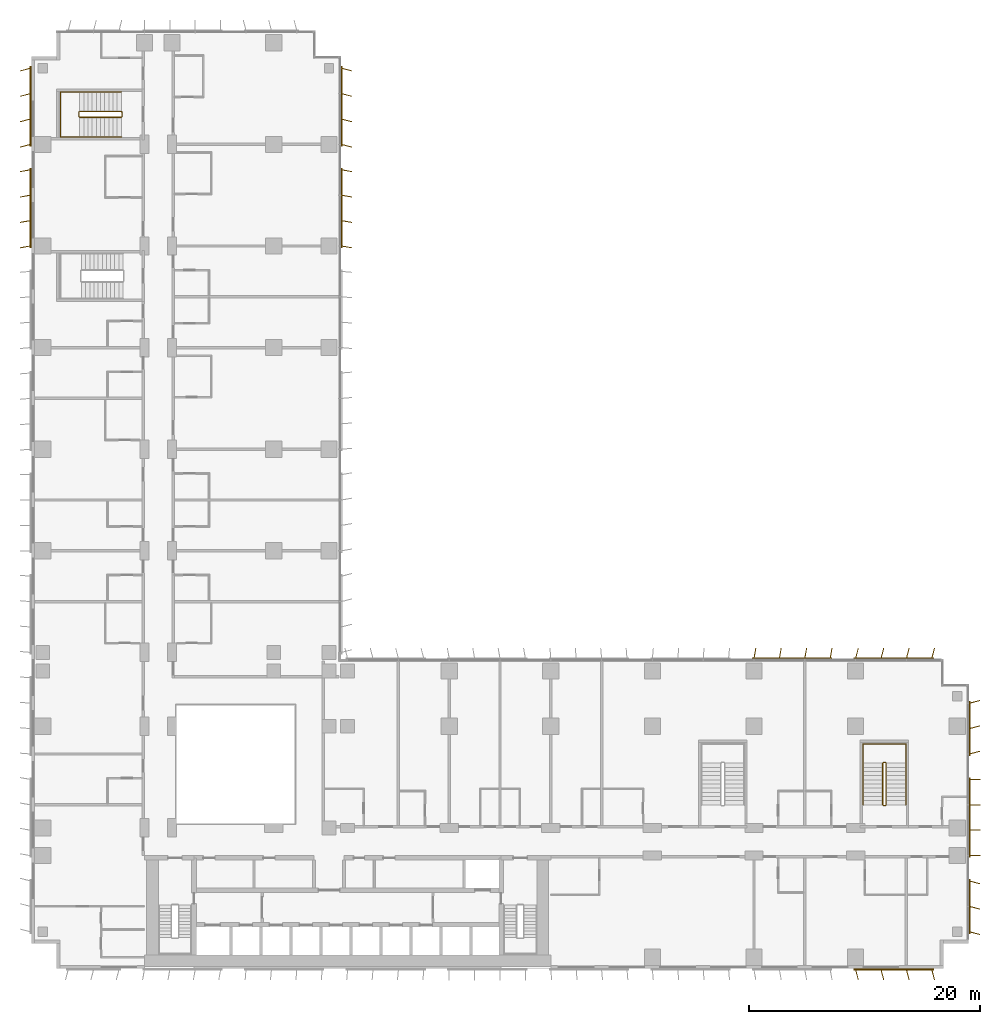
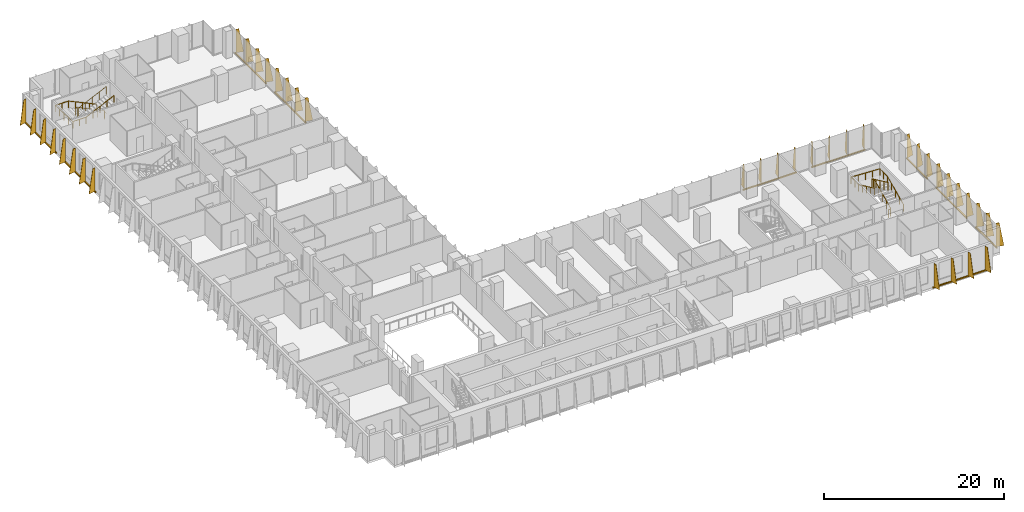
# One storey, part 23 of 24: 10 shading devices, 4 railings.
"""IFC4 building model written with IfcOpenShell, lengths in metres."""

from ifc_helpers import new_model, si_unit, direction, frame, origin, origin_2d, place, context, subcontext, project, spatial, polyline, rectangle, circle, outline, extrude, source, transform, mapped, material, layer, layer_set, type_object, element, save


model = new_model("IFC4")

# Units and contexts
model_context = context("Model", 3, precision=1e-05, world=origin(), true_north=direction((0.0, 1.0)))
body_context = subcontext(model_context, "Body", "Model", "MODEL_VIEW")
ifc_project = project(units=[si_unit("LENGTHUNIT", "METRE"), si_unit("AREAUNIT", "SQUARE_METRE"), si_unit("VOLUMEUNIT", "CUBIC_METRE"), si_unit("PLANEANGLEUNIT", "RADIAN"), si_unit("MASSUNIT", "GRAM", prefix="KILO")], contexts=[model_context])

# Site, building, storey
site_placement = place(None, origin())
site = spatial("IfcSite", under=ifc_project, at=site_placement, CompositionType="ELEMENT")
building_placement = place(site_placement, origin())
building = spatial("IfcBuilding", under=site, at=building_placement, Name="Kemantara Hotel Tower", CompositionType="ELEMENT")
storey_placement = place(building_placement, frame((0.0, 0.0, 63.60009765625)))
storey = spatial("IfcBuildingStorey", under=building, at=storey_placement, Name="L14", CompositionType="ELEMENT", Elevation=63.60009765625)

# Railings
ifc_material_1 = material(Name="Stainless steel balustrade", Category="steel")
railing_type_1 = type_object("IfcRailingType", Name="Stair guard 1100 mm", PredefinedType="GUARDRAIL", material=ifc_material_1)
railing_1_placement = place(storey_placement, frame((73.75, 14.199951171875, 3.699951171875)))
element("IfcRailing", 1, at=railing_1_placement, inside=storey, type_object=railing_type_1, Name="L14 ST5 stair guard 1", PredefinedType="GUARDRAIL", context=body_context, shape_type="SweptSolid", body=[
    extrude(circle(Radius=0.02392578125, at=origin_2d()), frame((0.0, 0.0, 1.076171875), z_axis=(0.0, 0.906005689286, -0.423265508849), x_axis=(-1.0, 0.0, 0.0)), (0.0, 0.0, 1.0), 3.9736328125),
    extrude(circle(Radius=0.02392578125, at=origin_2d()), frame((0.0, 3.60009765625, -0.60595703125), z_axis=(0.274243871929, 0.274243871929, -0.92172696468), x_axis=(-0.707106781187, 0.707106781187, 0.0)), (0.0, 0.0, 1.0), 0.1826171875),
    extrude(circle(Radius=0.02392578125, at=origin_2d()), frame((0.050048828125, 3.650146484375, -0.77392578125), z_axis=(1.0, 0.0, 0.0), x_axis=(0.0, 1.0, 0.0)), (0.0, 0.0, 1.0), 0.199951171875),
    extrude(circle(Radius=0.02392578125, at=origin_2d()), frame((0.25, 3.650146484375, -0.77392578125), z_axis=(0.707106781187, -0.707106781187, 0.0), x_axis=(0.707106781187, 0.707106781187, 0.0)), (0.0, 0.0, 1.0), 0.07080078125),
    extrude(circle(Radius=0.02392578125, at=origin_2d()), frame((0.300048828125, 3.60009765625, -0.77392578125), z_axis=(0.0, -0.906005689286, -0.423265508849), x_axis=(1.0, 0.0, 0.0)), (0.0, 0.0, 1.0), 3.9736328125),
    extrude(circle(Radius=0.02392578125, at=origin_2d()), frame((0.300048828125, 0.0, -2.4560546875), z_axis=(-0.274582412415, -0.274582412415, -0.921525364591), x_axis=(0.707106781187, -0.707106781187, 0.0)), (0.0, 0.0, 1.0), 0.182373046875),
    extrude(circle(Radius=0.02392578125, at=origin_2d()), frame((0.25, -0.050048828125, -2.6240234375), z_axis=(-1.0, 0.0, 0.0), x_axis=(0.0, -1.0, 0.0)), (0.0, 0.0, 1.0), 0.199951171875),
    extrude(circle(Radius=0.02099609375, at=origin_2d()), origin(), (0.0, 0.0, 1.0), 1.052001953125),
    extrude(circle(Radius=0.02099609375, at=origin_2d()), frame((0.0, 0.89990234375, -0.42041015625)), (0.0, 0.0, 1.0), 1.052001953125),
    extrude(circle(Radius=0.02099609375, at=origin_2d()), frame((0.0, 1.800048828125, -0.8408203125)), (0.0, 0.0, 1.0), 1.052001953125),
    extrude(circle(Radius=0.02099609375, at=origin_2d()), frame((0.0, 2.7001953125, -1.261474609375)), (0.0, 0.0, 1.0), 1.052001953125),
    extrude(circle(Radius=0.02099609375, at=origin_2d()), frame((0.0, 3.60009765625, -1.681884765625)), (0.0, 0.0, 1.0), 1.052001953125),
    extrude(circle(Radius=0.02099609375, at=origin_2d()), frame((0.050048828125, 3.650146484375, -1.85009765625)), (0.0, 0.0, 1.0), 1.052001953125),
    extrude(circle(Radius=0.02099609375, at=origin_2d()), frame((0.25, 3.650146484375, -1.85009765625)), (0.0, 0.0, 1.0), 1.052001953125),
    extrude(circle(Radius=0.02099609375, at=origin_2d()), frame((0.300048828125, 3.60009765625, -1.85009765625)), (0.0, 0.0, 1.0), 1.052001953125),
    extrude(circle(Radius=0.02099609375, at=origin_2d()), frame((0.300048828125, 2.7001953125, -2.2705078125)), (0.0, 0.0, 1.0), 1.052001953125),
    extrude(circle(Radius=0.02099609375, at=origin_2d()), frame((0.300048828125, 1.800048828125, -2.69091796875)), (0.0, 0.0, 1.0), 1.052001953125),
    extrude(circle(Radius=0.02099609375, at=origin_2d()), frame((0.300048828125, 0.89990234375, -3.111572265625)), (0.0, 0.0, 1.0), 1.052001953125),
    extrude(circle(Radius=0.02099609375, at=origin_2d()), frame((0.300048828125, 0.0, -3.531982421875)), (0.0, 0.0, 1.0), 1.052001953125),
    extrude(circle(Radius=0.02099609375, at=origin_2d()), frame((0.25, -0.050048828125, -3.699951171875)), (0.0, 0.0, 1.0), 1.052001953125),
    extrude(circle(Radius=0.02099609375, at=origin_2d()), frame((0.050048828125, -0.050048828125, -3.699951171875)), (0.0, 0.0, 1.0), 1.052001953125),
])
railing_2_placement = place(storey_placement, frame((7.800048828125, 73.75, 3.699951171875)))
element("IfcRailing", 2, at=railing_2_placement, inside=storey, type_object=railing_type_1, Name="L14 ST6 stair guard 1", PredefinedType="GUARDRAIL", context=body_context, shape_type="SweptSolid", body=[
    extrude(circle(Radius=0.02392578125, at=origin_2d()), frame((0.0, 0.0, 1.076171875), z_axis=(-0.906005689286, 0.0, -0.423265508849), x_axis=(0.0, -1.0, 0.0)), (0.0, 0.0, 1.0), 3.9736328125),
    extrude(circle(Radius=0.02392578125, at=origin_2d()), frame((-3.60009765625, 0.0, -0.60595703125), z_axis=(-0.274243871929, 0.274243871929, -0.92172696468), x_axis=(-0.707106781187, -0.707106781187, 0.0)), (0.0, 0.0, 1.0), 0.1826171875),
    extrude(circle(Radius=0.02392578125, at=origin_2d()), frame((-3.650146484375, 0.050048828125, -0.77392578125), z_axis=(0.0, 1.0, 0.0), x_axis=(-1.0, 0.0, 0.0)), (0.0, 0.0, 1.0), 0.39990234375),
    extrude(circle(Radius=0.02392578125, at=origin_2d()), frame((-3.650146484375, 0.449951171875, -0.77392578125), z_axis=(0.707106781187, 0.707106781187, 0.0), x_axis=(-0.707106781187, 0.707106781187, 0.0)), (0.0, 0.0, 1.0), 0.07080078125),
    extrude(circle(Radius=0.02392578125, at=origin_2d()), frame((-3.60009765625, 0.5, -0.77392578125), z_axis=(0.906005689286, 0.0, -0.423265508849), x_axis=(0.0, 1.0, 0.0)), (0.0, 0.0, 1.0), 3.9736328125),
    extrude(circle(Radius=0.02392578125, at=origin_2d()), frame((0.0, 0.5, -2.4560546875), z_axis=(0.274582412415, -0.274582412415, -0.921525364591), x_axis=(0.707106781187, 0.707106781187, 0.0)), (0.0, 0.0, 1.0), 0.182373046875),
    extrude(circle(Radius=0.02392578125, at=origin_2d()), frame((0.050048828125, 0.449951171875, -2.6240234375), z_axis=(0.0, -1.0, 0.0), x_axis=(1.0, 0.0, 0.0)), (0.0, 0.0, 1.0), 0.39990234375),
    extrude(circle(Radius=0.02099609375, at=origin_2d()), origin(), (0.0, 0.0, 1.0), 1.052001953125),
    extrude(circle(Radius=0.02099609375, at=origin_2d()), frame((-0.89990234375, 0.0, -0.42041015625)), (0.0, 0.0, 1.0), 1.052001953125),
    extrude(circle(Radius=0.02099609375, at=origin_2d()), frame((-1.800048828125, 0.0, -0.8408203125)), (0.0, 0.0, 1.0), 1.052001953125),
    extrude(circle(Radius=0.02099609375, at=origin_2d()), frame((-2.7001953125, 0.0, -1.261474609375)), (0.0, 0.0, 1.0), 1.052001953125),
    extrude(circle(Radius=0.02099609375, at=origin_2d()), frame((-3.60009765625, 0.0, -1.681884765625)), (0.0, 0.0, 1.0), 1.052001953125),
    extrude(circle(Radius=0.02099609375, at=origin_2d()), frame((-3.650146484375, 0.050048828125, -1.85009765625)), (0.0, 0.0, 1.0), 1.052001953125),
    extrude(circle(Radius=0.02099609375, at=origin_2d()), frame((-3.650146484375, 0.449951171875, -1.85009765625)), (0.0, 0.0, 1.0), 1.052001953125),
    extrude(circle(Radius=0.02099609375, at=origin_2d()), frame((-3.60009765625, 0.5, -1.85009765625)), (0.0, 0.0, 1.0), 1.052001953125),
    extrude(circle(Radius=0.02099609375, at=origin_2d()), frame((-2.7001953125, 0.5, -2.2705078125)), (0.0, 0.0, 1.0), 1.052001953125),
    extrude(circle(Radius=0.02099609375, at=origin_2d()), frame((-1.800048828125, 0.5, -2.69091796875)), (0.0, 0.0, 1.0), 1.052001953125),
    extrude(circle(Radius=0.02099609375, at=origin_2d()), frame((-0.89990234375, 0.5, -3.111572265625)), (0.0, 0.0, 1.0), 1.052001953125),
    extrude(circle(Radius=0.02099609375, at=origin_2d()), frame((0.0, 0.5, -3.531982421875)), (0.0, 0.0, 1.0), 1.052001953125),
    extrude(circle(Radius=0.02099609375, at=origin_2d()), frame((0.050048828125, 0.449951171875, -3.699951171875)), (0.0, 0.0, 1.0), 1.052001953125),
    extrude(circle(Radius=0.02099609375, at=origin_2d()), frame((0.050048828125, 0.050048828125, -3.699951171875)), (0.0, 0.0, 1.0), 1.052001953125),
])
railing_type_2 = type_object("IfcRailingType", Name="Stair handrail 900 mm", PredefinedType="HANDRAIL", material=ifc_material_1)
railing_3_placement = place(storey_placement, frame((75.75, 14.199951171875, 0.16796875)))
element("IfcRailing", 3, at=railing_3_placement, inside=storey, type_object=railing_type_2, Name="L14 ST5 stair handrail 1", PredefinedType="HANDRAIL", context=body_context, shape_type="SweptSolid", body=[
    extrude(circle(Radius=0.02392578125, at=origin_2d()), frame((0.0, 0.0, 0.8759765625), z_axis=(0.0, 0.906005689286, 0.423265508849), x_axis=(-1.0, 0.0, 0.0)), (0.0, 0.0, 1.0), 3.9736328125),
    extrude(circle(Radius=0.02392578125, at=origin_2d()), frame((0.0, 3.60009765625, 2.5576171875), z_axis=(0.0, 1.0, 0.0), x_axis=(-1.0, 0.0, 0.0)), (0.0, 0.0, 1.0), 1.679931640625),
    extrude(circle(Radius=0.02392578125, at=origin_2d()), frame((0.0, 5.280029296875, 2.5576171875), z_axis=(-0.998968132438, 0.0, 0.045416631029), x_axis=(0.0, -1.0, 0.0)), (0.0, 0.0, 1.0), 3.703857421875),
    extrude(circle(Radius=0.02392578125, at=origin_2d()), frame((-3.699951171875, 5.280029296875, 2.72607421875), z_axis=(0.0, -1.0, 0.0), x_axis=(1.0, 0.0, 0.0)), (0.0, 0.0, 1.0), 1.679931640625),
    extrude(circle(Radius=0.02392578125, at=origin_2d()), frame((-3.699951171875, 3.60009765625, 2.72607421875), z_axis=(0.0, -0.906005689286, 0.423265508849), x_axis=(1.0, 0.0, 0.0)), (0.0, 0.0, 1.0), 3.9736328125),
    extrude(circle(Radius=0.02099609375, at=origin_2d()), origin(), (0.0, 0.0, 1.0), 0.851806640625),
    extrude(circle(Radius=0.02099609375, at=origin_2d()), frame((0.0, 0.89990234375, 0.42041015625)), (0.0, 0.0, 1.0), 0.851806640625),
    extrude(circle(Radius=0.02099609375, at=origin_2d()), frame((0.0, 1.800048828125, 0.8408203125)), (0.0, 0.0, 1.0), 0.851806640625),
    extrude(circle(Radius=0.02099609375, at=origin_2d()), frame((0.0, 2.7001953125, 1.261474609375)), (0.0, 0.0, 1.0), 0.851806640625),
    extrude(circle(Radius=0.02099609375, at=origin_2d()), frame((0.0, 3.60009765625, 1.681884765625)), (0.0, 0.0, 1.0), 0.851806640625),
    extrude(circle(Radius=0.02099609375, at=origin_2d()), frame((0.0, 4.43994140625, 1.681884765625)), (0.0, 0.0, 1.0), 0.851806640625),
    extrude(circle(Radius=0.02099609375, at=origin_2d()), frame((0.0, 5.280029296875, 1.681884765625)), (0.0, 0.0, 1.0), 0.851806640625),
    extrude(circle(Radius=0.02099609375, at=origin_2d()), frame((-0.925048828125, 5.280029296875, 1.723876953125)), (0.0, 0.0, 1.0), 0.851806640625),
    extrude(circle(Radius=0.02099609375, at=origin_2d()), frame((-1.85009765625, 5.280029296875, 1.76611328125)), (0.0, 0.0, 1.0), 0.851806640625),
    extrude(circle(Radius=0.02099609375, at=origin_2d()), frame((-2.77490234375, 5.280029296875, 1.80810546875)), (0.0, 0.0, 1.0), 0.851806640625),
    extrude(circle(Radius=0.02099609375, at=origin_2d()), frame((-3.699951171875, 5.280029296875, 1.85009765625)), (0.0, 0.0, 1.0), 0.851806640625),
    extrude(circle(Radius=0.02099609375, at=origin_2d()), frame((-3.699951171875, 4.43994140625, 1.85009765625)), (0.0, 0.0, 1.0), 0.851806640625),
    extrude(circle(Radius=0.02099609375, at=origin_2d()), frame((-3.699951171875, 3.60009765625, 1.85009765625)), (0.0, 0.0, 1.0), 0.851806640625),
    extrude(circle(Radius=0.02099609375, at=origin_2d()), frame((-3.699951171875, 2.7001953125, 2.2705078125)), (0.0, 0.0, 1.0), 0.851806640625),
    extrude(circle(Radius=0.02099609375, at=origin_2d()), frame((-3.699951171875, 1.800048828125, 2.69091796875)), (0.0, 0.0, 1.0), 0.851806640625),
    extrude(circle(Radius=0.02099609375, at=origin_2d()), frame((-3.699951171875, 0.89990234375, 3.111572265625)), (0.0, 0.0, 1.0), 0.851806640625),
    extrude(circle(Radius=0.02099609375, at=origin_2d()), frame((-3.699951171875, 0.0, 3.531982421875)), (0.0, 0.0, 1.0), 0.851806640625),
])
railing_4_placement = place(storey_placement, frame((7.800048828125, 75.949951171875, 0.16796875)))
element("IfcRailing", 4, at=railing_4_placement, inside=storey, type_object=railing_type_2, Name="L14 ST6 stair handrail 1", PredefinedType="HANDRAIL", context=body_context, shape_type="SweptSolid", body=[
    extrude(circle(Radius=0.02392578125, at=origin_2d()), frame((0.0, 0.0, 0.8759765625), z_axis=(-0.906005689286, 0.0, 0.423265508849), x_axis=(0.0, -1.0, 0.0)), (0.0, 0.0, 1.0), 3.9736328125),
    extrude(circle(Radius=0.02392578125, at=origin_2d()), frame((-3.60009765625, 0.0, 2.5576171875), z_axis=(-1.0, 0.0, 0.0), x_axis=(0.0, -1.0, 0.0)), (0.0, 0.0, 1.0), 1.679931640625),
    extrude(circle(Radius=0.02392578125, at=origin_2d()), frame((-5.280029296875, 0.0, 2.5576171875), z_axis=(0.0, -0.999071085748, 0.043092523981), x_axis=(1.0, 0.0, 0.0)), (0.0, 0.0, 1.0), 3.903564453125),
    extrude(circle(Radius=0.02392578125, at=origin_2d()), frame((-5.280029296875, -3.89990234375, 2.72607421875), z_axis=(1.0, 0.0, 0.0), x_axis=(0.0, 1.0, 0.0)), (0.0, 0.0, 1.0), 1.679931640625),
    extrude(circle(Radius=0.02392578125, at=origin_2d()), frame((-3.60009765625, -3.89990234375, 2.72607421875), z_axis=(0.906005689286, 0.0, 0.423265508849), x_axis=(0.0, 1.0, 0.0)), (0.0, 0.0, 1.0), 3.9736328125),
    extrude(circle(Radius=0.02099609375, at=origin_2d()), origin(), (0.0, 0.0, 1.0), 0.851806640625),
    extrude(circle(Radius=0.02099609375, at=origin_2d()), frame((-0.89990234375, 0.0, 0.42041015625)), (0.0, 0.0, 1.0), 0.851806640625),
    extrude(circle(Radius=0.02099609375, at=origin_2d()), frame((-1.800048828125, 0.0, 0.8408203125)), (0.0, 0.0, 1.0), 0.851806640625),
    extrude(circle(Radius=0.02099609375, at=origin_2d()), frame((-2.7001953125, 0.0, 1.261474609375)), (0.0, 0.0, 1.0), 0.851806640625),
    extrude(circle(Radius=0.02099609375, at=origin_2d()), frame((-3.60009765625, 0.0, 1.681884765625)), (0.0, 0.0, 1.0), 0.851806640625),
    extrude(circle(Radius=0.02099609375, at=origin_2d()), frame((-4.43994140625, 0.0, 1.681884765625)), (0.0, 0.0, 1.0), 0.851806640625),
    extrude(circle(Radius=0.02099609375, at=origin_2d()), frame((-5.280029296875, 0.0, 1.681884765625)), (0.0, 0.0, 1.0), 0.851806640625),
    extrude(circle(Radius=0.02099609375, at=origin_2d()), frame((-5.280029296875, -0.97509765625, 1.723876953125)), (0.0, 0.0, 1.0), 0.851806640625),
    extrude(circle(Radius=0.02099609375, at=origin_2d()), frame((-5.280029296875, -1.949951171875, 1.76611328125)), (0.0, 0.0, 1.0), 0.851806640625),
    extrude(circle(Radius=0.02099609375, at=origin_2d()), frame((-5.280029296875, -2.9248046875, 1.80810546875)), (0.0, 0.0, 1.0), 0.851806640625),
    extrude(circle(Radius=0.02099609375, at=origin_2d()), frame((-5.280029296875, -3.89990234375, 1.85009765625)), (0.0, 0.0, 1.0), 0.851806640625),
    extrude(circle(Radius=0.02099609375, at=origin_2d()), frame((-4.43994140625, -3.89990234375, 1.85009765625)), (0.0, 0.0, 1.0), 0.851806640625),
    extrude(circle(Radius=0.02099609375, at=origin_2d()), frame((-3.60009765625, -3.89990234375, 1.85009765625)), (0.0, 0.0, 1.0), 0.851806640625),
    extrude(circle(Radius=0.02099609375, at=origin_2d()), frame((-2.7001953125, -3.89990234375, 2.2705078125)), (0.0, 0.0, 1.0), 0.851806640625),
    extrude(circle(Radius=0.02099609375, at=origin_2d()), frame((-1.800048828125, -3.89990234375, 2.69091796875)), (0.0, 0.0, 1.0), 0.851806640625),
    extrude(circle(Radius=0.02099609375, at=origin_2d()), frame((-0.89990234375, -3.89990234375, 3.111572265625)), (0.0, 0.0, 1.0), 0.851806640625),
    extrude(circle(Radius=0.02099609375, at=origin_2d()), frame((0.0, -3.89990234375, 3.531982421875)), (0.0, 0.0, 1.0), 0.851806640625),
])

# Shading devices
ifc_material_2 = material(Name="Perforated aluminium plate 4 mm bronze anodised", Category="aluminium")
ifc_layer_1 = layer(ifc_material_2, 0.0400390625)
ifc_layer_set_1 = layer_set([ifc_layer_1], Name="Perforated aluminium plate 4 mm bronze anodised")
shading_device_type_1 = type_object("IfcShadingDeviceType", Name="SCREEN FIN CASSETTE, 3 BLADES AT -15.0 DEG, 3200 HIGH", PredefinedType="USERDEFINED", material=ifc_layer_set_1)
shared_shape_1 = source(origin(), body_context, "Body", "SweptSolid", [
    extrude(rectangle(XDim=4.699951171875, YDim=0.14990234375, at=origin_2d()), frame((2.199951171875, -0.074951171875, -0.14990234375), z_axis=(0.0, 0.0, 1.0), x_axis=(1.0, 0.0, 0.0)), (0.0, 0.0, 1.0), 0.14990234375),
    extrude(outline(polyline([(0.0, 0.0), (0.89990234375, 0.0), (0.35009765625, 3.199951171875), (0.0, 3.199951171875), (0.0, 0.0)])), frame((0.019287109375, -0.080078125, 0.0), z_axis=(-0.966437683387, 0.256901156343, 0.0), x_axis=(-0.256901156343, -0.966437683387, 0.0)), (0.0, 0.0, 1.0), 0.039794921875),
    extrude(outline(polyline([(0.0, 0.0), (0.89990234375, 0.0), (0.35009765625, 3.199951171875), (0.0, 3.199951171875), (0.0, 0.0)])), frame((2.21923828125, -0.080078125, 0.0), z_axis=(-0.966437683387, 0.256901156343, 0.0), x_axis=(-0.256901156343, -0.966437683387, 0.0)), (0.0, 0.0, 1.0), 0.039794921875),
    extrude(outline(polyline([(0.0, 0.0), (0.89990234375, 0.0), (0.35009765625, 3.199951171875), (0.0, 3.199951171875), (0.0, 0.0)])), frame((4.41943359375, -0.080078125, 0.0), z_axis=(-0.966837822169, 0.255391122837, 0.0), x_axis=(-0.255391122837, -0.966837822169, 0.0)), (0.0, 0.0, 1.0), 0.0400390625),
])
shading_device_1_placement = place(storey_placement, frame((81.199951171875, 3.199951171875, 0.099853515625), z_axis=(0.0, 0.0, 1.0), x_axis=(0.0, 1.0, 0.0)))
element("IfcShadingDevice", 5, at=shading_device_1_placement, inside=storey, type_object=shading_device_type_1, Name="SCREEN FIN CASSETTE L14 T1-R04-1", ObjectType="SCREEN FIN", PredefinedType="USERDEFINED", context=body_context, shape_type="MappedRepresentation", body=[
    mapped(shared_shape_1, transform((0.0, 0.0, 0.0))),
])
ifc_layer_2 = layer(ifc_material_2, 0.0400390625)
ifc_layer_set_2 = layer_set([ifc_layer_2], Name="Perforated aluminium plate 4 mm bronze anodised")
shading_device_type_2 = type_object("IfcShadingDeviceType", Name="SCREEN FIN CASSETTE, 4 BLADES AT -10.0 DEG, 3200 HIGH", PredefinedType="USERDEFINED", material=ifc_layer_set_2)
shared_shape_2 = source(origin(), body_context, "Body", "SweptSolid", [
    extrude(rectangle(XDim=6.89990234375, YDim=0.14990234375, at=origin_2d()), frame((3.300048828125, -0.074951171875, -0.14990234375), z_axis=(0.0, 0.0, 1.0), x_axis=(1.0, 0.0, 0.0)), (0.0, 0.0, 1.0), 0.14990234375),
    extrude(outline(polyline([(0.0, 0.0), (0.89990234375, 0.0), (0.35009765625, 3.199951171875), (0.0, 3.199951171875), (0.0, 0.0)])), frame((0.019775390625, -0.078369140625, 0.0), z_axis=(-0.985389793052, 0.170314285219, 0.0), x_axis=(-0.170314285219, -0.985389793052, 0.0)), (0.0, 0.0, 1.0), 0.0400390625),
    extrude(outline(polyline([(0.0, 0.0), (0.89990234375, 0.0), (0.35009765625, 3.199951171875), (0.0, 3.199951171875), (0.0, 0.0)])), frame((2.2197265625, -0.078369140625, 0.0), z_axis=(-0.98521175482, 0.171341174751, 0.0), x_axis=(-0.171341174751, -0.98521175482, 0.0)), (0.0, 0.0, 1.0), 0.039794921875),
    extrude(outline(polyline([(0.0, 0.0), (0.89990234375, 0.0), (0.35009765625, 3.199951171875), (0.0, 3.199951171875), (0.0, 0.0)])), frame((4.419677734375, -0.078369140625, 0.0), z_axis=(-0.98521175482, 0.171341174751, 0.0), x_axis=(-0.171341174751, -0.98521175482, 0.0)), (0.0, 0.0, 1.0), 0.039794921875),
    extrude(outline(polyline([(0.0, 0.0), (0.89990234375, 0.0), (0.35009765625, 3.199951171875), (0.0, 3.199951171875), (0.0, 0.0)])), frame((6.61962890625, -0.078369140625, 0.0), z_axis=(-0.98521175482, 0.171341174751, 0.0), x_axis=(-0.171341174751, -0.98521175482, 0.0)), (0.0, 0.0, 1.0), 0.039794921875),
])
for number, where, z_axis, x_axis, name in (
    (6, (69.199951171875, 26.800048828125, 0.099853515625), (0.0, 0.0, 1.0), (-1.0, 0.0, 0.0), "SCREEN FIN CASSETTE L14 T1-R07-2"),
    (7, (26.800048828125, 62.60009765625, 0.099853515625), (0.0, 0.0, 1.0), (0.0, 1.0, 0.0), "SCREEN FIN CASSETTE L14 T1-R08-5"),
):
    element("IfcShadingDevice", number, at=place(storey_placement, frame(where, z_axis=z_axis, x_axis=x_axis)), inside=storey, type_object=shading_device_type_2, Name=name, ObjectType="SCREEN FIN", PredefinedType="USERDEFINED", context=body_context, shape_type="MappedRepresentation", body=[
        mapped(shared_shape_2, transform((0.0, 0.0, 0.0))),
    ])
ifc_layer_3 = layer(ifc_material_2, 0.0400390625)
ifc_layer_set_3 = layer_set([ifc_layer_3], Name="Perforated aluminium plate 4 mm bronze anodised")
shading_device_type_3 = type_object("IfcShadingDeviceType", Name="SCREEN FIN CASSETTE, 4 BLADES AT +0.0 DEG, 3200 HIGH", PredefinedType="USERDEFINED", material=ifc_layer_set_3)
shared_shape_3 = source(origin(), body_context, "Body", "SweptSolid", [
    extrude(rectangle(XDim=6.89990234375, YDim=0.14990234375, at=origin_2d()), frame((3.300048828125, -0.074951171875, -0.14990234375), z_axis=(0.0, 0.0, 1.0), x_axis=(1.0, 0.0, 0.0)), (0.0, 0.0, 1.0), 0.14990234375),
    extrude(outline(polyline([(0.0, 0.0), (0.89990234375, 0.0), (0.35009765625, 3.199951171875), (0.0, 3.199951171875), (0.0, 0.0)])), frame((0.02001953125, -0.074951171875, 0.0), z_axis=(-1.0, 0.0, 0.0), x_axis=(0.0, -1.0, 0.0)), (0.0, 0.0, 1.0), 0.0400390625),
    extrude(outline(polyline([(0.0, 0.0), (0.89990234375, 0.0), (0.35009765625, 3.199951171875), (0.0, 3.199951171875), (0.0, 0.0)])), frame((2.219970703125, -0.074951171875, 0.0), z_axis=(-1.0, 0.0, 0.0), x_axis=(0.0, -1.0, 0.0)), (0.0, 0.0, 1.0), 0.0400390625),
    extrude(outline(polyline([(0.0, 0.0), (0.89990234375, 0.0), (0.35009765625, 3.199951171875), (0.0, 3.199951171875), (0.0, 0.0)])), frame((4.419921875, -0.074951171875, 0.0), z_axis=(-1.0, 0.0, 0.0), x_axis=(0.0, -1.0, 0.0)), (0.0, 0.0, 1.0), 0.0400390625),
    extrude(outline(polyline([(0.0, 0.0), (0.89990234375, 0.0), (0.35009765625, 3.199951171875), (0.0, 3.199951171875), (0.0, 0.0)])), frame((6.6201171875, -0.074951171875, 0.0), z_axis=(-1.0, 0.0, 0.0), x_axis=(0.0, -1.0, 0.0)), (0.0, 0.0, 1.0), 0.0400390625),
])
shading_device_2_placement = place(storey_placement, frame((81.199951171875, 9.800048828125, 0.099853515625), z_axis=(0.0, 0.0, 1.0), x_axis=(0.0, 1.0, 0.0)))
element("IfcShadingDevice", 8, at=shading_device_2_placement, inside=storey, type_object=shading_device_type_3, Name="SCREEN FIN CASSETTE L14 T1-R04-2", ObjectType="SCREEN FIN", PredefinedType="USERDEFINED", context=body_context, shape_type="MappedRepresentation", body=[
    mapped(shared_shape_3, transform((0.0, 0.0, 0.0))),
])
ifc_layer_4 = layer(ifc_material_2, 0.0400390625)
ifc_layer_set_4 = layer_set([ifc_layer_4], Name="Perforated aluminium plate 4 mm bronze anodised")
shading_device_type_4 = type_object("IfcShadingDeviceType", Name="SCREEN FIN CASSETTE, 4 BLADES AT +10.0 DEG, 3200 HIGH", PredefinedType="USERDEFINED", material=ifc_layer_set_4)
shared_shape_4 = source(origin(), body_context, "Body", "SweptSolid", [
    extrude(rectangle(XDim=6.89990234375, YDim=0.14990234375, at=origin_2d()), frame((3.300048828125, -0.074951171875, -0.14990234375), z_axis=(0.0, 0.0, 1.0), x_axis=(1.0, 0.0, 0.0)), (0.0, 0.0, 1.0), 0.14990234375),
    extrude(outline(polyline([(0.0, 0.0), (0.89990234375, 0.0), (0.35009765625, 3.199951171875), (0.0, 3.199951171875), (0.0, 0.0)])), frame((0.019775390625, -0.071533203125, 0.0), z_axis=(-0.985389793052, -0.170314285219, 0.0), x_axis=(0.170314285219, -0.985389793052, 0.0)), (0.0, 0.0, 1.0), 0.0400390625),
    extrude(outline(polyline([(0.0, 0.0), (0.89990234375, 0.0), (0.35009765625, 3.199951171875), (0.0, 3.199951171875), (0.0, 0.0)])), frame((2.2197265625, -0.071533203125, 0.0), z_axis=(-0.98521175482, -0.171341174751, 0.0), x_axis=(0.171341174751, -0.98521175482, 0.0)), (0.0, 0.0, 1.0), 0.039794921875),
    extrude(outline(polyline([(0.0, 0.0), (0.89990234375, 0.0), (0.35009765625, 3.199951171875), (0.0, 3.199951171875), (0.0, 0.0)])), frame((4.419677734375, -0.071533203125, 0.0), z_axis=(-0.98521175482, -0.171341174751, 0.0), x_axis=(0.171341174751, -0.98521175482, 0.0)), (0.0, 0.0, 1.0), 0.039794921875),
    extrude(outline(polyline([(0.0, 0.0), (0.89990234375, 0.0), (0.35009765625, 3.199951171875), (0.0, 3.199951171875), (0.0, 0.0)])), frame((6.61962890625, -0.071533203125, 0.0), z_axis=(-0.98521175482, -0.171341174751, 0.0), x_axis=(0.171341174751, -0.98521175482, 0.0)), (0.0, 0.0, 1.0), 0.039794921875),
])
shading_device_3_placement = place(storey_placement, frame((0.0, 69.199951171875, 0.099853515625), z_axis=(0.0, 0.0, 1.0), x_axis=(0.0, -1.0, 0.0)))
element("IfcShadingDevice", 9, at=shading_device_3_placement, inside=storey, type_object=shading_device_type_4, Name="SCREEN FIN CASSETTE L14 T1-R14-2", ObjectType="SCREEN FIN", PredefinedType="USERDEFINED", context=body_context, shape_type="MappedRepresentation", body=[
    mapped(shared_shape_4, transform((0.0, 0.0, 0.0))),
])
ifc_layer_5 = layer(ifc_material_2, 0.0400390625)
ifc_layer_set_5 = layer_set([ifc_layer_5], Name="Perforated aluminium plate 4 mm bronze anodised")
shading_device_type_5 = type_object("IfcShadingDeviceType", Name="SCREEN FIN CASSETTE, 4 BLADES AT +15.0 DEG, 3200 HIGH", PredefinedType="USERDEFINED", material=ifc_layer_set_5)
shared_shape_5 = source(origin(), body_context, "Body", "SweptSolid", [
    extrude(rectangle(XDim=6.89990234375, YDim=0.14990234375, at=origin_2d()), frame((3.300048828125, -0.074951171875, -0.14990234375), z_axis=(0.0, 0.0, 1.0), x_axis=(1.0, 0.0, 0.0)), (0.0, 0.0, 1.0), 0.14990234375),
    extrude(outline(polyline([(0.0, 0.0), (0.89990234375, 0.0), (0.35009765625, 3.199951171875), (0.0, 3.199951171875), (0.0, 0.0)])), frame((0.019287109375, -0.06982421875, 0.0), z_axis=(-0.966437683387, -0.256901156343, 0.0), x_axis=(0.256901156343, -0.966437683387, 0.0)), (0.0, 0.0, 1.0), 0.039794921875),
    extrude(outline(polyline([(0.0, 0.0), (0.89990234375, 0.0), (0.35009765625, 3.199951171875), (0.0, 3.199951171875), (0.0, 0.0)])), frame((2.21923828125, -0.06982421875, 0.0), z_axis=(-0.966437683387, -0.256901156343, 0.0), x_axis=(0.256901156343, -0.966437683387, 0.0)), (0.0, 0.0, 1.0), 0.039794921875),
    extrude(outline(polyline([(0.0, 0.0), (0.89990234375, 0.0), (0.35009765625, 3.199951171875), (0.0, 3.199951171875), (0.0, 0.0)])), frame((4.41943359375, -0.06982421875, 0.0), z_axis=(-0.966837822169, -0.255391122837, 0.0), x_axis=(0.255391122837, -0.966837822169, 0.0)), (0.0, 0.0, 1.0), 0.0400390625),
    extrude(outline(polyline([(0.0, 0.0), (0.89990234375, 0.0), (0.35009765625, 3.199951171875), (0.0, 3.199951171875), (0.0, 0.0)])), frame((6.619384765625, -0.06982421875, 0.0), z_axis=(-0.966837822169, -0.255391122837, 0.0), x_axis=(0.255391122837, -0.966837822169, 0.0)), (0.0, 0.0, 1.0), 0.0400390625),
])
for number, where, z_axis, x_axis, name in (
    (10, (71.39990234375, 0.0, 0.099853515625), (0.0, 0.0, 1.0), (1.0, 0.0, 0.0), "SCREEN FIN CASSETTE L14 T1-R01-9"),
    (11, (0.0, 78.0, 0.099853515625), (0.0, 0.0, 1.0), (0.0, -1.0, 0.0), "SCREEN FIN CASSETTE L14 T1-R14-1"),
):
    element("IfcShadingDevice", number, at=place(storey_placement, frame(where, z_axis=z_axis, x_axis=x_axis)), inside=storey, type_object=shading_device_type_5, Name=name, ObjectType="SCREEN FIN", PredefinedType="USERDEFINED", context=body_context, shape_type="MappedRepresentation", body=[
        mapped(shared_shape_5, transform((0.0, 0.0, 0.0))),
    ])
ifc_layer_6 = layer(ifc_material_2, 0.0400390625)
ifc_layer_set_6 = layer_set([ifc_layer_6], Name="Perforated aluminium plate 4 mm bronze anodised")
shading_device_type_6 = type_object("IfcShadingDeviceType", Name="SCREEN FIN CASSETTE, 3 BLADES AT +15.0 DEG, 3200 HIGH", PredefinedType="USERDEFINED", material=ifc_layer_set_6)
shared_shape_6 = source(origin(), body_context, "Body", "SweptSolid", [
    extrude(rectangle(XDim=4.699951171875, YDim=0.14990234375, at=origin_2d()), frame((2.199951171875, -0.074951171875, -0.14990234375), z_axis=(0.0, 0.0, 1.0), x_axis=(1.0, 0.0, 0.0)), (0.0, 0.0, 1.0), 0.14990234375),
    extrude(outline(polyline([(0.0, 0.0), (0.89990234375, 0.0), (0.35009765625, 3.199951171875), (0.0, 3.199951171875), (0.0, 0.0)])), frame((0.019287109375, -0.06982421875, 0.0), z_axis=(-0.966437683387, -0.256901156343, 0.0), x_axis=(0.256901156343, -0.966437683387, 0.0)), (0.0, 0.0, 1.0), 0.039794921875),
    extrude(outline(polyline([(0.0, 0.0), (0.89990234375, 0.0), (0.35009765625, 3.199951171875), (0.0, 3.199951171875), (0.0, 0.0)])), frame((2.21923828125, -0.06982421875, 0.0), z_axis=(-0.966437683387, -0.256901156343, 0.0), x_axis=(0.256901156343, -0.966437683387, 0.0)), (0.0, 0.0, 1.0), 0.039794921875),
    extrude(outline(polyline([(0.0, 0.0), (0.89990234375, 0.0), (0.35009765625, 3.199951171875), (0.0, 3.199951171875), (0.0, 0.0)])), frame((4.41943359375, -0.06982421875, 0.0), z_axis=(-0.966837822169, -0.255391122837, 0.0), x_axis=(0.255391122837, -0.966837822169, 0.0)), (0.0, 0.0, 1.0), 0.0400390625),
])
shading_device_4_placement = place(storey_placement, frame((81.199951171875, 18.60009765625, 0.099853515625), z_axis=(0.0, 0.0, 1.0), x_axis=(0.0, 1.0, 0.0)))
element("IfcShadingDevice", 12, at=shading_device_4_placement, inside=storey, type_object=shading_device_type_6, Name="SCREEN FIN CASSETTE L14 T1-R04-3", ObjectType="SCREEN FIN", PredefinedType="USERDEFINED", context=body_context, shape_type="MappedRepresentation", body=[
    mapped(shared_shape_6, transform((0.0, 0.0, 0.0))),
])
ifc_layer_7 = layer(ifc_material_2, 0.0400390625)
ifc_layer_set_7 = layer_set([ifc_layer_7], Name="Perforated aluminium plate 4 mm bronze anodised")
shading_device_type_7 = type_object("IfcShadingDeviceType", Name="SCREEN FIN CASSETTE, 4 BLADES AT -15.0 DEG, 3200 HIGH", PredefinedType="USERDEFINED", material=ifc_layer_set_7)
shared_shape_7 = source(origin(), body_context, "Body", "SweptSolid", [
    extrude(rectangle(XDim=6.89990234375, YDim=0.14990234375, at=origin_2d()), frame((3.300048828125, -0.074951171875, -0.14990234375), z_axis=(0.0, 0.0, 1.0), x_axis=(1.0, 0.0, 0.0)), (0.0, 0.0, 1.0), 0.14990234375),
    extrude(outline(polyline([(0.0, 0.0), (0.89990234375, 0.0), (0.35009765625, 3.199951171875), (0.0, 3.199951171875), (0.0, 0.0)])), frame((0.019287109375, -0.080078125, 0.0), z_axis=(-0.966437683387, 0.256901156343, 0.0), x_axis=(-0.256901156343, -0.966437683387, 0.0)), (0.0, 0.0, 1.0), 0.039794921875),
    extrude(outline(polyline([(0.0, 0.0), (0.89990234375, 0.0), (0.35009765625, 3.199951171875), (0.0, 3.199951171875), (0.0, 0.0)])), frame((2.21923828125, -0.080078125, 0.0), z_axis=(-0.966437683387, 0.256901156343, 0.0), x_axis=(-0.256901156343, -0.966437683387, 0.0)), (0.0, 0.0, 1.0), 0.039794921875),
    extrude(outline(polyline([(0.0, 0.0), (0.89990234375, 0.0), (0.35009765625, 3.199951171875), (0.0, 3.199951171875), (0.0, 0.0)])), frame((4.41943359375, -0.080078125, 0.0), z_axis=(-0.966837822169, 0.255391122837, 0.0), x_axis=(-0.255391122837, -0.966837822169, 0.0)), (0.0, 0.0, 1.0), 0.0400390625),
    extrude(outline(polyline([(0.0, 0.0), (0.89990234375, 0.0), (0.35009765625, 3.199951171875), (0.0, 3.199951171875), (0.0, 0.0)])), frame((6.619384765625, -0.080078125, 0.0), z_axis=(-0.966837822169, 0.255391122837, 0.0), x_axis=(-0.255391122837, -0.966837822169, 0.0)), (0.0, 0.0, 1.0), 0.0400390625),
])
for number, where, z_axis, x_axis, name in (
    (13, (78.0, 26.800048828125, 0.099853515625), (0.0, 0.0, 1.0), (-1.0, 0.0, 0.0), "SCREEN FIN CASSETTE L14 T1-R07-1"),
    (14, (26.800048828125, 71.39990234375, 0.099853515625), (0.0, 0.0, 1.0), (0.0, 1.0, 0.0), "SCREEN FIN CASSETTE L14 T1-R08-6"),
):
    element("IfcShadingDevice", number, at=place(storey_placement, frame(where, z_axis=z_axis, x_axis=x_axis)), inside=storey, type_object=shading_device_type_7, Name=name, ObjectType="SCREEN FIN", PredefinedType="USERDEFINED", context=body_context, shape_type="MappedRepresentation", body=[
        mapped(shared_shape_7, transform((0.0, 0.0, 0.0))),
    ])

save(model, "model.ifc")
